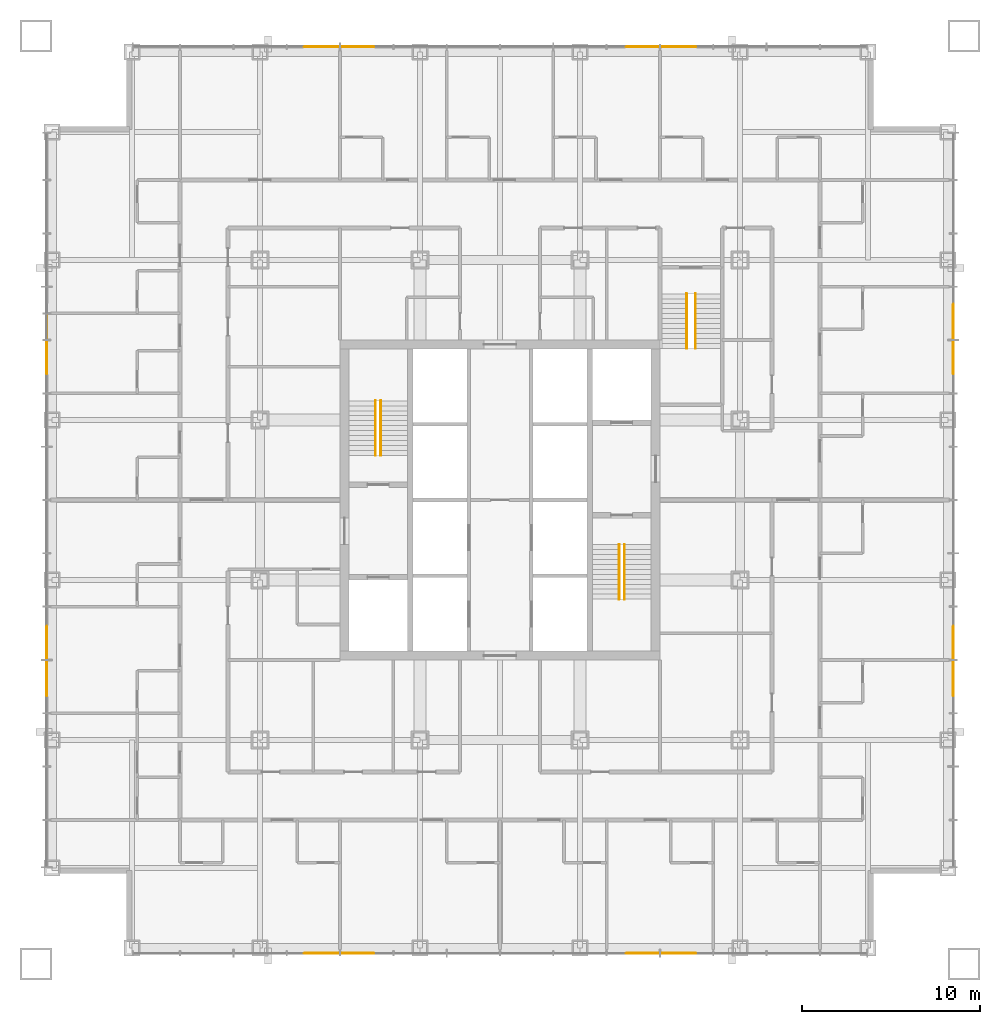
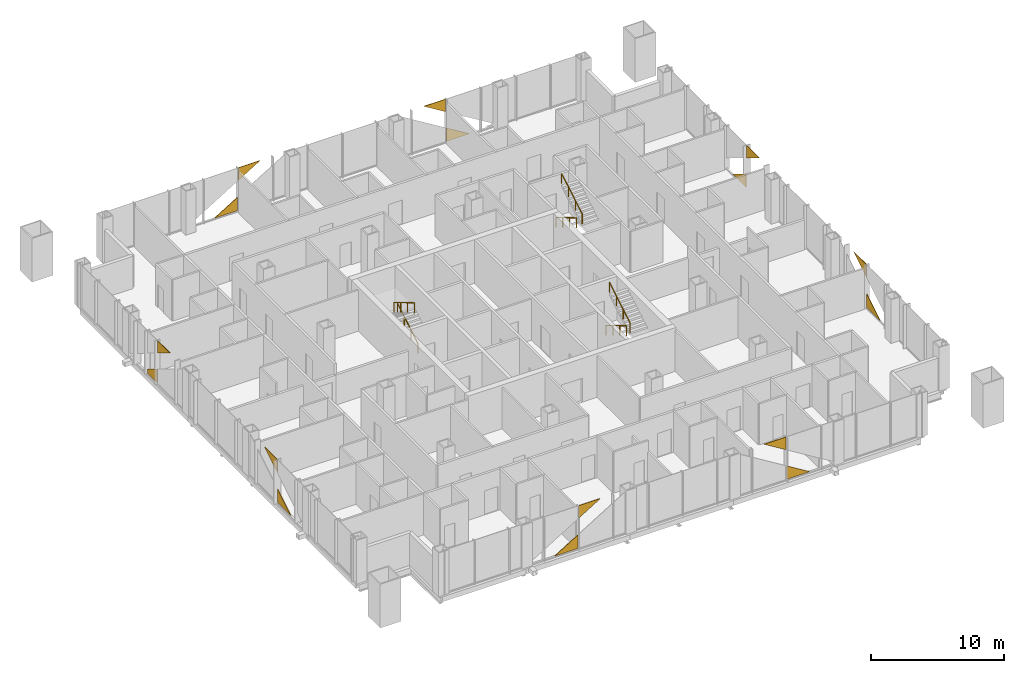
# One storey, part 13 of 14: 16 coverings, 6 railings.
"""IFC4 building model written with IfcOpenShell, lengths in metres."""

from ifc_helpers import new_model, si_unit, direction, frame, origin, origin_2d, place, context, subcontext, project, spatial, polyline, circle, outline, extrude, material, layer, layer_set, type_object, element, save


model = new_model("IFC4")

# Units and contexts
model_context = context("Model", 3, precision=1e-05, world=origin(), true_north=direction((0.0, 1.0)))
body_context = subcontext(model_context, "Body", "Model", "MODEL_VIEW")
ifc_project = project(units=[si_unit("LENGTHUNIT", "METRE"), si_unit("AREAUNIT", "SQUARE_METRE"), si_unit("VOLUMEUNIT", "CUBIC_METRE"), si_unit("PLANEANGLEUNIT", "RADIAN"), si_unit("MASSUNIT", "GRAM", prefix="KILO")], contexts=[model_context])

# Site, building, storey
site_placement = place(None, origin())
site = spatial("IfcSite", under=ifc_project, at=site_placement, CompositionType="ELEMENT")
building_placement = place(site_placement, origin())
building = spatial("IfcBuilding", under=site, at=building_placement, Name="Malebo Sky Hospital", CompositionType="ELEMENT")
storey_placement = place(building_placement, frame((0.0, 0.0, 71.0)))
storey = spatial("IfcBuildingStorey", under=building, at=storey_placement, Name="L16", CompositionType="ELEMENT", Elevation=71.0)

# Coverings
ifc_material_1 = material(Name="Anodised aluminium, natural silver insulated infill panel", Category="aluminium")
ifc_layer = layer(ifc_material_1, 0.0400390625)
ifc_layer_set = layer_set([ifc_layer], Name="BRACE INFILL PANEL 40")
covering_type = type_object("IfcCoveringType", Name="BRACE INFILL PANEL 40", PredefinedType="CLADDING", material=ifc_layer_set)
covering_1_placement = place(storey_placement, frame((49.96240234375, 87.5, 0.10009765625), z_axis=(0.0, 0.0, 1.0), x_axis=(1.0, 0.0, 0.0)))
element("IfcCovering", 1, at=covering_1_placement, inside=storey, type_object=covering_type, Name="Brace infill panel 4.1", PredefinedType="CLADDING", context=body_context, shape_type="SweptSolid", body=[
    extrude(outline(polyline([(-1.0, 0.0), (1.000244140625, 0.0), (1.000244140625, 1.226318359375), (-1.0, 0.0)])), frame((0.0, 0.02001953125, 0.0), z_axis=(0.0, -1.0, 0.0), x_axis=(1.0, 0.0, 0.0)), (0.0, 0.0, 1.0), 0.0400390625),
])
covering_2_placement = place(storey_placement, frame((51.975830078125, 87.5, 2.839599609375), z_axis=(0.0, 0.0, 1.0), x_axis=(1.0, 0.0, 0.0)))
element("IfcCovering", 2, at=covering_2_placement, inside=storey, type_object=covering_type, Name="Brace infill panel 5.1", PredefinedType="CLADDING", context=body_context, shape_type="SweptSolid", body=[
    extrude(outline(polyline([(-0.9384765625, 0.0), (0.938232421875, 1.150390625), (-0.9384765625, 1.150390625), (-0.9384765625, 0.0)])), frame((0.0, 0.02001953125, 0.0), z_axis=(0.0, -1.0, 0.0), x_axis=(1.0, 0.0, 0.0)), (0.0, 0.0, 1.0), 0.0400390625),
])
covering_3_placement = place(storey_placement, frame((68.024169921875, 87.5, 2.839599609375), z_axis=(0.0, 0.0, 1.0), x_axis=(1.0, 0.0, 0.0)))
element("IfcCovering", 3, at=covering_3_placement, inside=storey, type_object=covering_type, Name="Brace infill panel 10.1", PredefinedType="CLADDING", context=body_context, shape_type="SweptSolid", body=[
    extrude(outline(polyline([(0.9384765625, 0.0), (0.9384765625, 1.150390625), (-0.938232421875, 1.150390625), (0.9384765625, 0.0)])), frame((0.0, 0.02001953125, 0.0), z_axis=(0.0, -1.0, 0.0), x_axis=(1.0, 0.0, 0.0)), (0.0, 0.0, 1.0), 0.0400390625),
])
covering_4_placement = place(storey_placement, frame((70.03759765625, 87.5, 0.10009765625), z_axis=(0.0, 0.0, 1.0), x_axis=(1.0, 0.0, 0.0)))
element("IfcCovering", 4, at=covering_4_placement, inside=storey, type_object=covering_type, Name="Brace infill panel 11.1", PredefinedType="CLADDING", context=body_context, shape_type="SweptSolid", body=[
    extrude(outline(polyline([(-1.000244140625, 0.0), (1.0, 0.0), (-1.000244140625, 1.226318359375), (-1.000244140625, 0.0)])), frame((0.0, 0.02001953125, 0.0), z_axis=(0.0, -1.0, 0.0), x_axis=(1.0, 0.0, 0.0)), (0.0, 0.0, 1.0), 0.0400390625),
])
covering_5_placement = place(storey_placement, frame((34.5, 51.96240234375, 0.10009765625), z_axis=(0.0, 0.0, 1.0), x_axis=(0.0, 1.0, 0.0)))
element("IfcCovering", 5, at=covering_5_placement, inside=storey, type_object=covering_type, Name="Brace infill panel 4.1", PredefinedType="CLADDING", context=body_context, shape_type="SweptSolid", body=[
    extrude(outline(polyline([(-1.0, 0.0), (1.000244140625, 0.0), (1.000244140625, 1.226318359375), (-1.0, 0.0)])), frame((0.0, 0.02001953125, 0.0), z_axis=(0.0, -1.0, 0.0), x_axis=(1.0, 0.0, 0.0)), (0.0, 0.0, 1.0), 0.0400390625),
])
covering_6_placement = place(storey_placement, frame((34.5, 53.975830078125, 2.839599609375), z_axis=(0.0, 0.0, 1.0), x_axis=(0.0, 1.0, 0.0)))
element("IfcCovering", 6, at=covering_6_placement, inside=storey, type_object=covering_type, Name="Brace infill panel 5.1", PredefinedType="CLADDING", context=body_context, shape_type="SweptSolid", body=[
    extrude(outline(polyline([(-0.9384765625, 0.0), (0.938232421875, 1.150390625), (-0.9384765625, 1.150390625), (-0.9384765625, 0.0)])), frame((0.0, 0.02001953125, 0.0), z_axis=(0.0, -1.0, 0.0), x_axis=(1.0, 0.0, 0.0)), (0.0, 0.0, 1.0), 0.0400390625),
])
covering_7_placement = place(storey_placement, frame((34.5, 70.024169921875, 2.839599609375), z_axis=(0.0, 0.0, 1.0), x_axis=(0.0, 1.0, 0.0)))
element("IfcCovering", 7, at=covering_7_placement, inside=storey, type_object=covering_type, Name="Brace infill panel 10.1", PredefinedType="CLADDING", context=body_context, shape_type="SweptSolid", body=[
    extrude(outline(polyline([(0.9384765625, 0.0), (0.9384765625, 1.150390625), (-0.938232421875, 1.150390625), (0.9384765625, 0.0)])), frame((0.0, 0.02001953125, 0.0), z_axis=(0.0, -1.0, 0.0), x_axis=(1.0, 0.0, 0.0)), (0.0, 0.0, 1.0), 0.0400390625),
])
covering_8_placement = place(storey_placement, frame((34.5, 71.75, 0.10009765625), z_axis=(0.0, 0.0, 1.0), x_axis=(0.0, 1.0, 0.0)))
element("IfcCovering", 8, at=covering_8_placement, inside=storey, type_object=covering_type, Name="Brace infill panel 11.1", PredefinedType="CLADDING", context=body_context, shape_type="SweptSolid", body=[
    extrude(outline(polyline([(-0.71240234375, 0.0), (0.71240234375, 0.0), (0.71240234375, 0.352783203125), (-0.71240234375, 1.226318359375), (-0.71240234375, 0.0)])), frame((0.0, 0.02001953125, 0.0), z_axis=(0.0, -1.0, 0.0), x_axis=(1.0, 0.0, 0.0)), (0.0, 0.0, 1.0), 0.0400390625),
])
covering_9_placement = place(storey_placement, frame((70.03759765625, 36.5, 0.10009765625), z_axis=(0.0, 0.0, 1.0), x_axis=(-1.0, 0.0, 0.0)))
element("IfcCovering", 9, at=covering_9_placement, inside=storey, type_object=covering_type, Name="Brace infill panel 4.1", PredefinedType="CLADDING", context=body_context, shape_type="SweptSolid", body=[
    extrude(outline(polyline([(-1.0, 0.0), (1.000244140625, 0.0), (1.000244140625, 1.226318359375), (-1.0, 0.0)])), frame((0.0, 0.02001953125, 0.0), z_axis=(0.0, -1.0, 0.0), x_axis=(1.0, 0.0, 0.0)), (0.0, 0.0, 1.0), 0.0400390625),
])
covering_10_placement = place(storey_placement, frame((68.024169921875, 36.5, 2.839599609375), z_axis=(0.0, 0.0, 1.0), x_axis=(-1.0, 0.0, 0.0)))
element("IfcCovering", 10, at=covering_10_placement, inside=storey, type_object=covering_type, Name="Brace infill panel 5.1", PredefinedType="CLADDING", context=body_context, shape_type="SweptSolid", body=[
    extrude(outline(polyline([(-0.9384765625, 0.0), (0.938232421875, 1.150390625), (-0.9384765625, 1.150390625), (-0.9384765625, 0.0)])), frame((0.0, 0.02001953125, 0.0), z_axis=(0.0, -1.0, 0.0), x_axis=(1.0, 0.0, 0.0)), (0.0, 0.0, 1.0), 0.0400390625),
])
covering_11_placement = place(storey_placement, frame((51.975830078125, 36.5, 2.839599609375), z_axis=(0.0, 0.0, 1.0), x_axis=(-1.0, 0.0, 0.0)))
element("IfcCovering", 11, at=covering_11_placement, inside=storey, type_object=covering_type, Name="Brace infill panel 10.1", PredefinedType="CLADDING", context=body_context, shape_type="SweptSolid", body=[
    extrude(outline(polyline([(0.9384765625, 0.0), (0.9384765625, 1.150390625), (-0.938232421875, 1.150390625), (0.9384765625, 0.0)])), frame((0.0, 0.02001953125, 0.0), z_axis=(0.0, -1.0, 0.0), x_axis=(1.0, 0.0, 0.0)), (0.0, 0.0, 1.0), 0.0400390625),
])
covering_12_placement = place(storey_placement, frame((49.96240234375, 36.5, 0.10009765625), z_axis=(0.0, 0.0, 1.0), x_axis=(-1.0, 0.0, 0.0)))
element("IfcCovering", 12, at=covering_12_placement, inside=storey, type_object=covering_type, Name="Brace infill panel 11.1", PredefinedType="CLADDING", context=body_context, shape_type="SweptSolid", body=[
    extrude(outline(polyline([(-1.000244140625, 0.0), (1.0, 0.0), (-1.000244140625, 1.226318359375), (-1.000244140625, 0.0)])), frame((0.0, 0.02001953125, 0.0), z_axis=(0.0, -1.0, 0.0), x_axis=(1.0, 0.0, 0.0)), (0.0, 0.0, 1.0), 0.0400390625),
])
covering_13_placement = place(storey_placement, frame((85.5, 72.03759765625, 0.10009765625), z_axis=(0.0, 0.0, 1.0), x_axis=(0.0, -1.0, 0.0)))
element("IfcCovering", 13, at=covering_13_placement, inside=storey, type_object=covering_type, Name="Brace infill panel 4.1", PredefinedType="CLADDING", context=body_context, shape_type="SweptSolid", body=[
    extrude(outline(polyline([(-1.0, 0.0), (1.000244140625, 0.0), (1.000244140625, 1.226318359375), (-1.0, 0.0)])), frame((0.0, 0.02001953125, 0.0), z_axis=(0.0, -1.0, 0.0), x_axis=(1.0, 0.0, 0.0)), (0.0, 0.0, 1.0), 0.0400390625),
])
covering_14_placement = place(storey_placement, frame((85.5, 70.024169921875, 2.839599609375), z_axis=(0.0, 0.0, 1.0), x_axis=(0.0, -1.0, 0.0)))
element("IfcCovering", 14, at=covering_14_placement, inside=storey, type_object=covering_type, Name="Brace infill panel 5.1", PredefinedType="CLADDING", context=body_context, shape_type="SweptSolid", body=[
    extrude(outline(polyline([(-0.9384765625, 0.0), (0.938232421875, 1.150390625), (-0.9384765625, 1.150390625), (-0.9384765625, 0.0)])), frame((0.0, 0.02001953125, 0.0), z_axis=(0.0, -1.0, 0.0), x_axis=(1.0, 0.0, 0.0)), (0.0, 0.0, 1.0), 0.0400390625),
])
covering_15_placement = place(storey_placement, frame((85.5, 53.975830078125, 2.839599609375), z_axis=(0.0, 0.0, 1.0), x_axis=(0.0, -1.0, 0.0)))
element("IfcCovering", 15, at=covering_15_placement, inside=storey, type_object=covering_type, Name="Brace infill panel 10.1", PredefinedType="CLADDING", context=body_context, shape_type="SweptSolid", body=[
    extrude(outline(polyline([(0.9384765625, 0.0), (0.9384765625, 1.150390625), (-0.938232421875, 1.150390625), (0.9384765625, 0.0)])), frame((0.0, 0.02001953125, 0.0), z_axis=(0.0, -1.0, 0.0), x_axis=(1.0, 0.0, 0.0)), (0.0, 0.0, 1.0), 0.0400390625),
])
covering_16_placement = place(storey_placement, frame((85.5, 51.96240234375, 0.10009765625), z_axis=(0.0, 0.0, 1.0), x_axis=(0.0, -1.0, 0.0)))
element("IfcCovering", 16, at=covering_16_placement, inside=storey, type_object=covering_type, Name="Brace infill panel 11.1", PredefinedType="CLADDING", context=body_context, shape_type="SweptSolid", body=[
    extrude(outline(polyline([(-1.000244140625, 0.0), (1.0, 0.0), (-1.000244140625, 1.226318359375), (-1.000244140625, 0.0)])), frame((0.0, 0.02001953125, 0.0), z_axis=(0.0, -1.0, 0.0), x_axis=(1.0, 0.0, 0.0)), (0.0, 0.0, 1.0), 0.0400390625),
])

# Railings
ifc_material_2 = material(Name="Stainless steel tube", Category="steel")
railing_type = type_object("IfcRailingType", Name="STAIR HANDRAIL 900", PredefinedType="HANDRAIL", material=ifc_material_2)
railing_1_placement = place(storey_placement, frame((53.300048828125, 64.5, 0.166748046875)))
element("IfcRailing", 17, at=railing_1_placement, inside=storey, type_object=railing_type, Name="Stair handrail S1 flight 1", PredefinedType="HANDRAIL", context=body_context, shape_type="SweptSolid", body=[
    extrude(circle(Radius=0.02392578125, at=origin_2d()), frame((0.0, 0.0, 0.8759765625), z_axis=(0.0, 0.859308565015, 0.511457515432), x_axis=(-1.0, 0.0, 0.0)), (0.0, 0.0, 1.0), 3.58447265625),
    extrude(circle(Radius=0.02099609375, at=origin_2d()), origin(), (0.0, 0.0, 1.0), 0.851806640625),
    extrude(circle(Radius=0.02099609375, at=origin_2d()), frame((0.0, 1.026611328125, 0.611083984375)), (0.0, 0.0, 1.0), 0.851806640625),
    extrude(circle(Radius=0.02099609375, at=origin_2d()), frame((0.0, 2.053466796875, 1.22216796875)), (0.0, 0.0, 1.0), 0.851806640625),
    extrude(circle(Radius=0.02099609375, at=origin_2d()), frame((0.0, 3.080078125, 1.833251953125)), (0.0, 0.0, 1.0), 0.851806640625),
])
for number, where, name in (
    (18, (53.0, 67.580078125, 2.166748046875), "Stair handrail S1 flight 2"),
    (19, (66.699951171875, 59.5, 0.166748046875), "Stair handrail S2 flight 1"),
):
    element("IfcRailing", number, at=place(storey_placement, frame(where)), inside=storey, type_object=railing_type, Name=name, PredefinedType="HANDRAIL", context=body_context, shape_type="SweptSolid", body=[
        extrude(circle(Radius=0.02392578125, at=origin_2d()), frame((0.0, 0.0, 0.8759765625), z_axis=(0.0, -0.859308565015, 0.511457515432), x_axis=(1.0, 0.0, 0.0)), (0.0, 0.0, 1.0), 3.58447265625),
        extrude(circle(Radius=0.02099609375, at=origin_2d()), origin(), (0.0, 0.0, 1.0), 0.851806640625),
        extrude(circle(Radius=0.02099609375, at=origin_2d()), frame((0.0, -1.026611328125, 0.611083984375)), (0.0, 0.0, 1.0), 0.851806640625),
        extrude(circle(Radius=0.02099609375, at=origin_2d()), frame((0.0, -2.053466796875, 1.22216796875)), (0.0, 0.0, 1.0), 0.851806640625),
        extrude(circle(Radius=0.02099609375, at=origin_2d()), frame((0.0, -3.080078125, 1.833251953125)), (0.0, 0.0, 1.0), 0.851806640625),
    ])
railing_2_placement = place(storey_placement, frame((67.0, 56.419921875, 2.166748046875)))
element("IfcRailing", 20, at=railing_2_placement, inside=storey, type_object=railing_type, Name="Stair handrail S2 flight 2", PredefinedType="HANDRAIL", context=body_context, shape_type="SweptSolid", body=[
    extrude(circle(Radius=0.02392578125, at=origin_2d()), frame((0.0, 0.0, 0.8759765625), z_axis=(0.0, 0.859308565015, 0.511457515432), x_axis=(-1.0, 0.0, 0.0)), (0.0, 0.0, 1.0), 3.58447265625),
    extrude(circle(Radius=0.02099609375, at=origin_2d()), origin(), (0.0, 0.0, 1.0), 0.851806640625),
    extrude(circle(Radius=0.02099609375, at=origin_2d()), frame((0.0, 1.026611328125, 0.611083984375)), (0.0, 0.0, 1.0), 0.851806640625),
    extrude(circle(Radius=0.02099609375, at=origin_2d()), frame((0.0, 2.053466796875, 1.22216796875)), (0.0, 0.0, 1.0), 0.851806640625),
    extrude(circle(Radius=0.02099609375, at=origin_2d()), frame((0.0, 3.080078125, 1.833251953125)), (0.0, 0.0, 1.0), 0.851806640625),
])
railing_3_placement = place(storey_placement, frame((70.5, 73.60009765625, 0.166748046875)))
element("IfcRailing", 21, at=railing_3_placement, inside=storey, type_object=railing_type, Name="Stair handrail S3 flight 1", PredefinedType="HANDRAIL", context=body_context, shape_type="SweptSolid", body=[
    extrude(circle(Radius=0.02392578125, at=origin_2d()), frame((0.0, 0.0, 0.8759765625), z_axis=(0.0, -0.859308565015, 0.511457515432), x_axis=(1.0, 0.0, 0.0)), (0.0, 0.0, 1.0), 3.58447265625),
    extrude(circle(Radius=0.02099609375, at=origin_2d()), origin(), (0.0, 0.0, 1.0), 0.851806640625),
    extrude(circle(Radius=0.02099609375, at=origin_2d()), frame((0.0, -1.026611328125, 0.611083984375)), (0.0, 0.0, 1.0), 0.851806640625),
    extrude(circle(Radius=0.02099609375, at=origin_2d()), frame((0.0, -2.053466796875, 1.22216796875)), (0.0, 0.0, 1.0), 0.851806640625),
    extrude(circle(Radius=0.02099609375, at=origin_2d()), frame((0.0, -3.080078125, 1.833251953125)), (0.0, 0.0, 1.0), 0.851806640625),
])
railing_4_placement = place(storey_placement, frame((71.0, 70.52001953125, 2.166748046875)))
element("IfcRailing", 22, at=railing_4_placement, inside=storey, type_object=railing_type, Name="Stair handrail S3 flight 2", PredefinedType="HANDRAIL", context=body_context, shape_type="SweptSolid", body=[
    extrude(circle(Radius=0.02392578125, at=origin_2d()), frame((0.0, 0.0, 0.8759765625), z_axis=(0.0, 0.859308565015, 0.511457515432), x_axis=(-1.0, 0.0, 0.0)), (0.0, 0.0, 1.0), 3.58447265625),
    extrude(circle(Radius=0.02099609375, at=origin_2d()), origin(), (0.0, 0.0, 1.0), 0.851806640625),
    extrude(circle(Radius=0.02099609375, at=origin_2d()), frame((0.0, 1.026611328125, 0.611083984375)), (0.0, 0.0, 1.0), 0.851806640625),
    extrude(circle(Radius=0.02099609375, at=origin_2d()), frame((0.0, 2.053466796875, 1.22216796875)), (0.0, 0.0, 1.0), 0.851806640625),
    extrude(circle(Radius=0.02099609375, at=origin_2d()), frame((0.0, 3.080078125, 1.833251953125)), (0.0, 0.0, 1.0), 0.851806640625),
])

save(model, "model.ifc")
